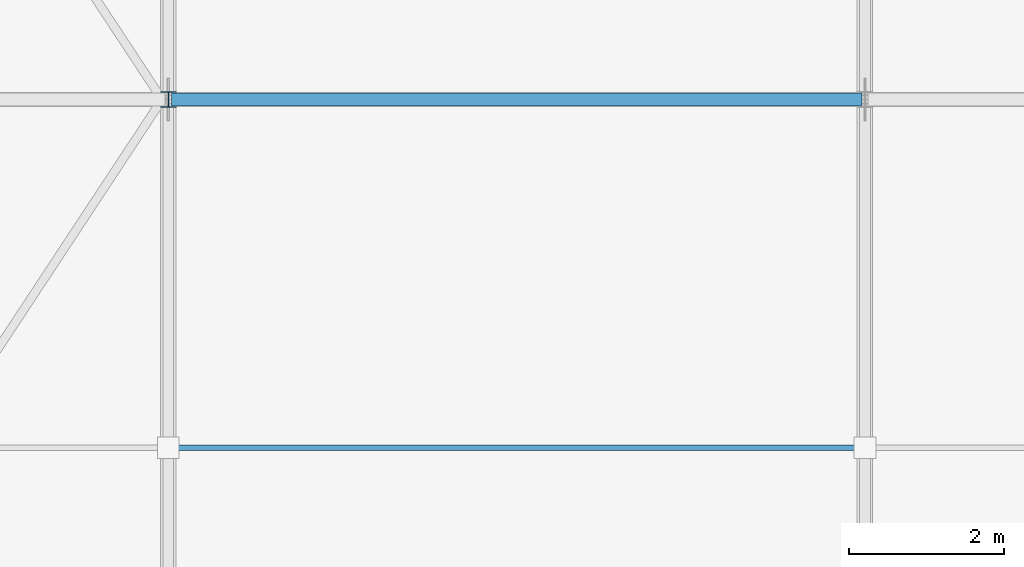
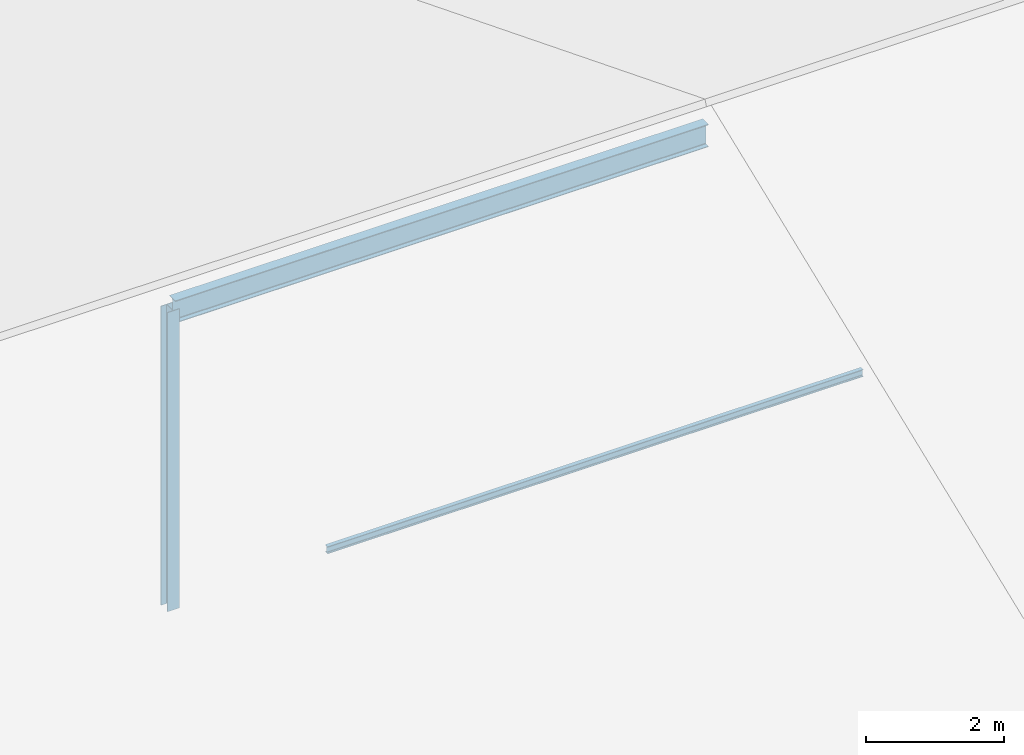
# One storey, part 66 of 132: 3 members.
"""IFC4 building model written with IfcOpenShell, lengths in metres."""

import ifcopenshell
import ifcopenshell.guid

model = None  # the IFC model being written
_history = None  # IfcOwnerHistory: only IFC2X3 demands one
_inside = {}  # id of a spatial element -> (the spatial element, [elements in it])
_under = {}  # id of a project, library or spatial element -> (it, [spatial elements below it])
_declared = {}  # id of a project -> (the project, [libraries it declares])
_typed = {}  # id of a type object -> (the type object, [elements of that type])
_made_of = {}  # id of a material, layer set ... -> (it, [elements and type objects made of it])


def new_model(schema):
    """Start an empty IFC model of exactly this schema.

    Asked for "IFC4X3", IfcOpenShell would pick the latest addendum, in which some entities
    have other attributes; the version numbers below select the first issue.
    IFC2X3 requires an IfcOwnerHistory on every rooted entity: one is made here for all.
    """
    global model, _history
    if schema == "IFC4X3":
        model = ifcopenshell.file(schema_version=(4, 3, 0, 0))
    else:
        model = ifcopenshell.file(schema=schema)
    _inside.clear()
    _under.clear()
    _declared.clear()
    _typed.clear()
    _made_of.clear()
    _history = None
    if model.schema == "IFC2X3":
        org = make("IfcOrganization", Name="unknown")
        user = make(
            "IfcPersonAndOrganization",
            ThePerson=make("IfcPerson", FamilyName="unknown"),
            TheOrganization=org,
        )
        app = make(
            "IfcApplication",
            ApplicationDeveloper=org,
            Version="unknown",
            ApplicationFullName="unknown",
            ApplicationIdentifier="unknown",
        )
        _history = make(
            "IfcOwnerHistory",
            OwningUser=user,
            OwningApplication=app,
            ChangeAction="ADDED",
            CreationDate=0,
        )
    return model


def make(cls, **values):
    """One entity of the class cls with the attributes given. An attribute that is None is left unset."""
    return model.create_entity(
        cls, **{name: value for name, value in values.items() if value is not None}
    )


def rooted(cls, **values):
    """An entity with a GlobalId (a new one), such as an element, a storey or a relation."""
    return make(cls, GlobalId=ifcopenshell.guid.new(), OwnerHistory=_history, **values)


def si_unit(unit_type, name, prefix=None):
    """IfcSIUnit, for example si_unit("LENGTHUNIT", "METRE", prefix="MILLI")."""
    return make("IfcSIUnit", UnitType=unit_type, Prefix=prefix, Name=name)


def assignment(units):
    """IfcUnitAssignment: the units of a project."""
    return None if units is None else make("IfcUnitAssignment", Units=units)


def point(xyz):
    """IfcCartesianPoint."""
    return None if xyz is None else make("IfcCartesianPoint", Coordinates=xyz)


def direction(xyz):
    """IfcDirection."""
    return None if xyz is None else make("IfcDirection", DirectionRatios=xyz)


def frame(location, z_axis=None, x_axis=None):
    """IfcAxis2Placement3D, a coordinate frame: its origin and axes. An axis left out is left unset."""
    return make(
        "IfcAxis2Placement3D",
        Location=point(location),
        Axis=direction(z_axis),
        RefDirection=direction(x_axis),
    )


def frame_2d(location, x_axis=None):
    """IfcAxis2Placement2D, a coordinate frame in the plane: its origin and x axis."""
    return make(
        "IfcAxis2Placement2D", Location=point(location), RefDirection=direction(x_axis)
    )


def origin():
    """The frame at (0, 0, 0) with its axes left unset."""
    return frame((0.0, 0.0, 0.0))


def origin_2d():
    """The frame at (0, 0) in the plane with its x axis left unset."""
    return frame_2d((0.0, 0.0))


def place(relative_to, where):
    """IfcLocalPlacement: puts the frame where relative to a parent placement (None: the world)."""
    return make(
        "IfcLocalPlacement", PlacementRelTo=relative_to, RelativePlacement=where
    )


def context(
    kind, dimensions, precision=None, world=None, true_north=None, identifier=None
):
    """IfcGeometricRepresentationContext, for example the 3D "Model" context."""
    return make(
        "IfcGeometricRepresentationContext",
        ContextIdentifier=identifier,
        ContextType=kind,
        CoordinateSpaceDimension=dimensions,
        Precision=precision,
        WorldCoordinateSystem=world,
        TrueNorth=true_north,
    )


def subcontext(parent, identifier, kind, view, scale=None):
    """IfcGeometricRepresentationSubContext, for example "Body" below "Model"."""
    return make(
        "IfcGeometricRepresentationSubContext",
        ContextIdentifier=identifier,
        ContextType=kind,
        ParentContext=parent,
        TargetScale=scale,
        TargetView=view,
    )


def project(units=None, contexts=None):
    """IfcProject with its units and contexts."""
    return rooted(
        "IfcProject",
        Name="project",
        RepresentationContexts=contexts,
        UnitsInContext=assignment(units),
    )


def spatial(cls, under=None, at=None, **own):
    """A site, building, storey or space (cls), placed at a placement, below another one or the project."""
    s = rooted(cls, ObjectPlacement=at, **own)
    if under is not None:
        _under.setdefault(under.id(), (under, []))[1].append(s)
    return s


def profile(cls, at=None, kind="AREA", **sizes):
    """A parametric profile (cls). Its sizes go by their IFC names, for example OverallWidth=200.0."""
    return make(cls, ProfileType=kind, Position=at, **sizes)


def i_section(**sizes):
    """IfcIShapeProfileDef."""
    return profile("IfcIShapeProfileDef", **sizes)


def extrude(swept, where, along, depth):
    """IfcExtrudedAreaSolid: the profile swept, set in the frame where, extruded along a direction by depth."""
    return make(
        "IfcExtrudedAreaSolid",
        SweptArea=swept,
        Position=where,
        ExtrudedDirection=direction(along),
        Depth=depth,
    )


def shape(context_of_items, identifier, shape_type, items):
    """IfcShapeRepresentation: the items that make up one representation, for example the "Body"."""
    return make(
        "IfcShapeRepresentation",
        ContextOfItems=context_of_items,
        RepresentationIdentifier=identifier,
        RepresentationType=shape_type,
        Items=items,
    )


def material(Name=None, Category=None):
    """IfcMaterial."""
    return make("IfcMaterial", Name=Name, Category=Category)


def material_profile(
    of_material, cross_section, Name=None, Category=None, Priority=None
):
    """IfcMaterialProfile: a cross section and its material."""
    return make(
        "IfcMaterialProfile",
        Name=Name,
        Material=of_material,
        Profile=cross_section,
        Priority=Priority,
        Category=Category,
    )


def profile_set(profiles, Name=None, composite=None):
    """IfcMaterialProfileSet."""
    return make(
        "IfcMaterialProfileSet",
        Name=Name,
        MaterialProfiles=profiles,
        CompositeProfile=composite,
    )


def made_of(thing, what):
    """Note that an element or type object is made of a material, layer set ...; save() writes the relation."""
    if what is not None:
        _made_of.setdefault(what.id(), (what, []))[1].append(thing)
    return thing


def type_object(cls, material=None, **own):
    """A type object (cls), such as IfcWallType, which elements share."""
    return made_of(rooted(cls, **own), material)


def element(
    cls,
    number,
    at=None,
    inside=None,
    cuts=None,
    type_object=None,
    material=None,
    context=None,
    identifier="Body",
    shape_type=None,
    held_by="IfcProductDefinitionShape",
    body=None,
    shapes=None,
    **own,
):
    """One element of the class cls, such as IfcWall. Its Tag is "e" and its number.

    at: its placement. inside: the storey or other place that contains it. cuts: it is an
    opening in that element (IfcRelVoidsElement). A single representation is given by context,
    identifier, shape_type and body (its items); several are given by shapes. held_by: the class
    of the entity that holds the representations. save() writes the other relations.
    """
    e = rooted(cls, Tag="e%d" % number, ObjectPlacement=at, **own)
    if body is not None:
        shapes = [shape(context, identifier, shape_type, body)]
    if shapes is not None:
        e.Representation = make(held_by, Representations=shapes)
    if inside is not None:
        _inside.setdefault(inside.id(), (inside, []))[1].append(e)
    if cuts is not None:
        rooted(
            "IfcRelVoidsElement", RelatingBuildingElement=cuts, RelatedOpeningElement=e
        )
    if type_object is not None:
        _typed.setdefault(type_object.id(), (type_object, []))[1].append(e)
    return made_of(e, material)


def aggregate(whole, parts):
    """IfcRelAggregates: a whole, such as a stair, and the parts it consists of."""
    return rooted("IfcRelAggregates", RelatingObject=whole, RelatedObjects=parts)


def save(model, path):
    """Write the relations noted so far, then the file.

    IfcRelAggregates (storeys below a building ...), IfcRelContainedInSpatialStructure (elements
    in a storey), IfcRelDefinesByType, IfcRelAssociatesMaterial and IfcRelDeclares: one each for
    every whole, place, type object, material and project.
    """
    for whole, parts in _under.values():
        aggregate(whole, parts)
    for where, things in _inside.values():
        rooted(
            "IfcRelContainedInSpatialStructure",
            RelatedElements=things,
            RelatingStructure=where,
        )
    for kind, things in _typed.values():
        rooted("IfcRelDefinesByType", RelatedObjects=things, RelatingType=kind)
    for what, things in _made_of.values():
        rooted("IfcRelAssociatesMaterial", RelatedObjects=things, RelatingMaterial=what)
    for by, libraries in _declared.values():
        rooted("IfcRelDeclares", RelatingContext=by, RelatedDefinitions=libraries)
    model.write(path)


model = new_model("IFC4")

# Units and contexts
model_context = context("Model", 3, precision=1e-05, world=origin(), true_north=direction((0.0, 1.0)))
body_context = subcontext(model_context, "Body", "Model", "MODEL_VIEW")
ifc_project = project(units=[si_unit("LENGTHUNIT", "METRE"), si_unit("AREAUNIT", "SQUARE_METRE"), si_unit("VOLUMEUNIT", "CUBIC_METRE"), si_unit("PLANEANGLEUNIT", "RADIAN"), si_unit("MASSUNIT", "GRAM", prefix="KILO")], contexts=[model_context])

# Site, building, storey
site_placement = place(None, origin())
site = spatial("IfcSite", under=ifc_project, at=site_placement, CompositionType="ELEMENT")
building_placement = place(site_placement, origin())
building = spatial("IfcBuilding", under=site, at=building_placement, Name="Tharagai Park Tramway Depot", CompositionType="ELEMENT")
storey_placement = place(building_placement, frame((0.0, 0.0, 4.800048828125)))
storey = spatial("IfcBuildingStorey", under=building, at=storey_placement, Name="L01", CompositionType="ELEMENT", Elevation=4.800048828125)

# Members
ifc_material_1 = material(Name="Steel E350", Category="steel")
ifc_material_profile_1 = material_profile(ifc_material_1, i_section(OverallWidth=0.199951171875, OverallDepth=0.199951171875, WebThickness=0.0078125, FlangeThickness=0.009033203125, FilletRadius=0.009033203125, at=origin_2d()), Name="ISHB 200")
ifc_profile_set_1 = profile_set([ifc_material_profile_1], Name="Steel E350")
member_type_1 = type_object("IfcMemberType", Name="BR-10", PredefinedType="BRACE", material=ifc_profile_set_1)
member_1_placement = place(storey_placement, frame((180.0, 67.5, -0.449951171875), z_axis=(0.0, 0.0, 1.0), x_axis=(1.0, 0.0, 0.0)))
element("IfcMember", 1, at=member_1_placement, inside=storey, type_object=member_type_1, Name="V6 Gable King Strut BR-10", PredefinedType="BRACE", context=body_context, shape_type="SweptSolid", body=[
    extrude(i_section(OverallWidth=0.199951171875, OverallDepth=0.199951171875, WebThickness=0.0078125, FlangeThickness=0.009033203125, FilletRadius=0.009033203125, at=origin_2d()), origin(), (0.0, 0.0, 1.0), 5.2900390625),
])
ifc_material_2 = material(Name="Steel E250", Category="steel")
ifc_material_profile_2 = material_profile(ifc_material_2, i_section(OverallWidth=0.070068359375, OverallDepth=0.125, WebThickness=0.00439453125, FlangeThickness=0.007080078125, FilletRadius=0.008056640625, at=origin_2d()), Name="ISMB 125")
ifc_profile_set_2 = profile_set([ifc_material_profile_2], Name="Steel E250")
member_type_2 = type_object("IfcMemberType", Name="PR-06", PredefinedType="PURLIN", material=ifc_profile_set_2)
member_2_placement = place(storey_placement, frame((180.02001953125, 63.0, 3.284912109375), z_axis=(1.0, 0.0, 0.0), x_axis=(0.0, 1.0, 0.0)))
element("IfcMember", 2, at=member_2_placement, inside=storey, type_object=member_type_2, Name="V6 Roof Purlin PR-06", PredefinedType="PURLIN", context=body_context, shape_type="SweptSolid", body=[
    extrude(i_section(OverallWidth=0.070068359375, OverallDepth=0.125, WebThickness=0.00439453125, FlangeThickness=0.007080078125, FilletRadius=0.008056640625, at=origin_2d()), origin(), (0.0, 0.0, 1.0), 8.9599609375),
])
ifc_material_profile_3 = material_profile(ifc_material_1, i_section(OverallWidth=0.1650390625, OverallDepth=0.39990234375, WebThickness=0.008056640625, FlangeThickness=0.012451171875, FilletRadius=0.013916015625, at=origin_2d()), Name="ISLB 400")
ifc_profile_set_3 = profile_set([ifc_material_profile_3], Name="Steel E350")
member_type_3 = type_object("IfcMemberType", Name="TC-04", PredefinedType="CHORD", material=ifc_profile_set_3)
member_3_placement = place(storey_placement, frame((180.0400390625, 67.5, 4.7900390625), z_axis=(1.0, 0.0, 0.0), x_axis=(0.0, 1.0, 0.0)))
element("IfcMember", 3, at=member_3_placement, inside=storey, type_object=member_type_3, Name="V6 Roof Ridge Chord TC-04", PredefinedType="CHORD", context=body_context, shape_type="SweptSolid", body=[
    extrude(i_section(OverallWidth=0.1650390625, OverallDepth=0.39990234375, WebThickness=0.008056640625, FlangeThickness=0.012451171875, FilletRadius=0.013916015625, at=origin_2d()), origin(), (0.0, 0.0, 1.0), 8.919921875),
])

save(model, "model.ifc")
